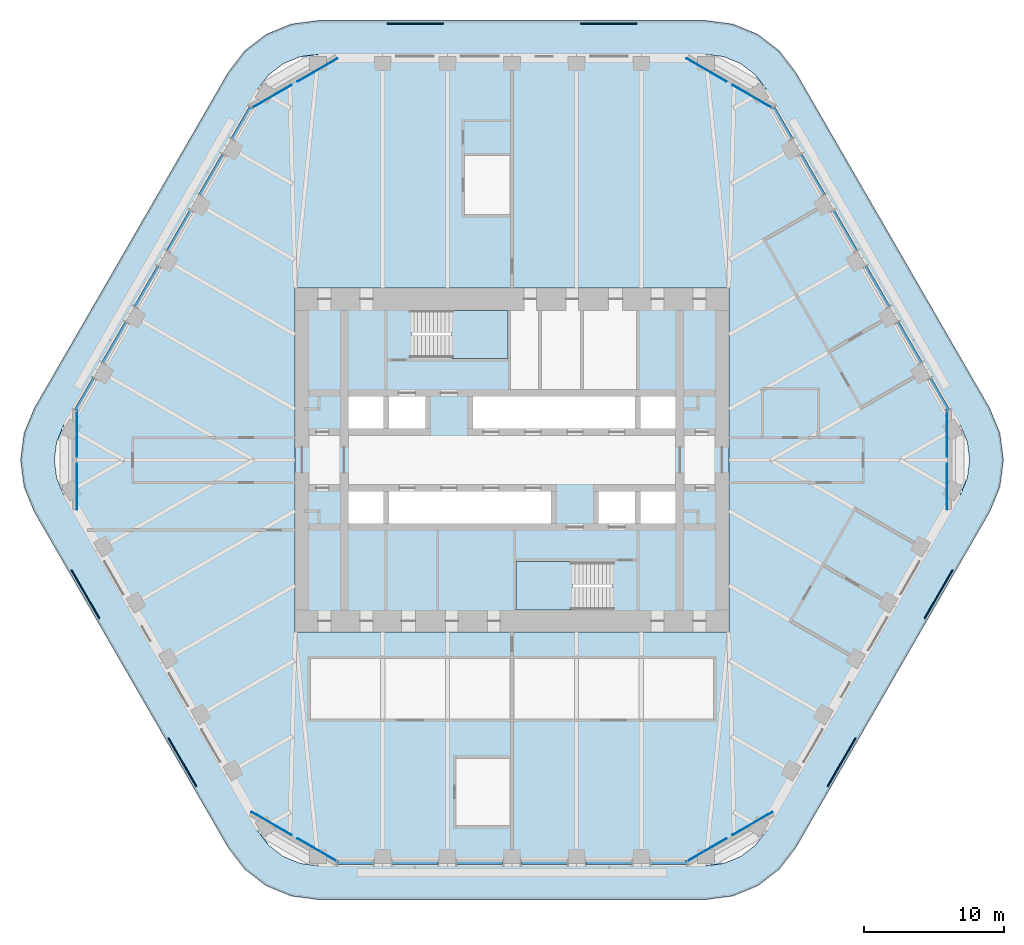
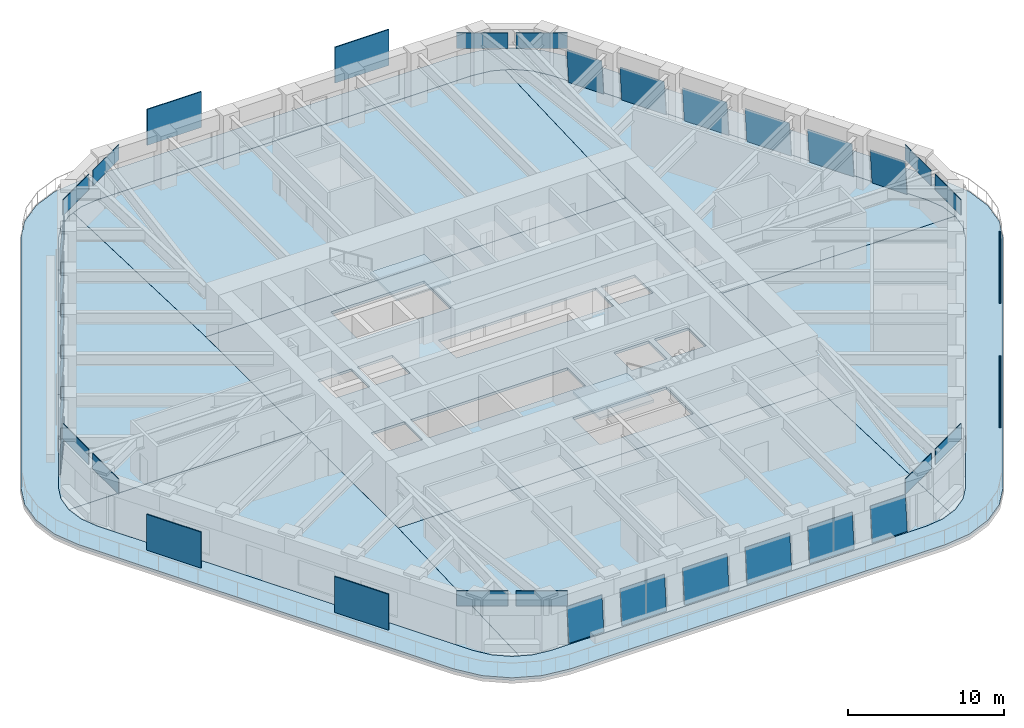
# One storey, part 13 of 20: 36 plates, 10 slabs, 20 elements without a shape of their own.
"""IFC4 building model written with IfcOpenShell, lengths in metres."""

from ifc_helpers import new_model, si_unit, direction, frame, origin, origin_2d, place, context, subcontext, project, spatial, polyline, rectangle, outline, extrude, material, layer, layer_set, type_object, element, aggregate, save


model = new_model("IFC4")

# Units and contexts
model_context = context("Model", 3, precision=1e-05, world=origin(), true_north=direction((0.0, 1.0)))
body_context = subcontext(model_context, "Body", "Model", "MODEL_VIEW")
ifc_project = project(units=[si_unit("LENGTHUNIT", "METRE"), si_unit("AREAUNIT", "SQUARE_METRE"), si_unit("VOLUMEUNIT", "CUBIC_METRE"), si_unit("PLANEANGLEUNIT", "RADIAN"), si_unit("MASSUNIT", "GRAM", prefix="KILO")], contexts=[model_context])

# Site, building, storey
site_placement = place(None, origin())
site = spatial("IfcSite", under=ifc_project, at=site_placement, CompositionType="ELEMENT")
building_placement = place(site_placement, origin())
building = spatial("IfcBuilding", under=site, at=building_placement, Name="Tarfa Lantern Tower", CompositionType="ELEMENT")
storey_placement = place(building_placement, frame((0.0, 0.0, 261.699951171875)))
storey = spatial("IfcBuildingStorey", under=building, at=storey_placement, Name="L59", CompositionType="ELEMENT", Elevation=261.699951171875)

# Slab
ifc_material_1 = material(Name="Concrete C40/50", Category="concrete")
ifc_layer_1 = layer(ifc_material_1, 0.199951171875)
ifc_layer_set_1 = layer_set([ifc_layer_1], Name="BS2 BALCONY SLAB 200")
slab_type_1 = type_object("IfcSlabType", Name="BS2 BALCONY SLAB 200", PredefinedType="FLOOR", material=ifc_layer_set_1)
slab_1_placement = place(storey_placement, frame((0.0, 0.0, -0.199951171875)))
element("IfcSlab", 1, at=slab_1_placement, inside=storey, type_object=slab_type_1, Name="Balcony L59", PredefinedType="FLOOR", context=body_context, shape_type="SweptSolid", body=[
    extrude(outline(polyline([(34.121337890625, 3.699951171875), (20.264892578125, 27.699951171875), (19.089111328125, 29.232666015625), (17.556396484375, 30.40869140625), (15.771728515625, 31.14794921875), (13.8564453125, 31.39990234375), (-13.8564453125, 31.39990234375), (-15.771728515625, 31.14794921875), (-17.556396484375, 30.40869140625), (-19.089111328125, 29.232666015625), (-20.264892578125, 27.699951171875), (-34.121337890625, 3.699951171875), (-34.860595703125, 1.915283203125), (-35.11279296875, 0.0), (-34.860595703125, -1.915283203125), (-34.121337890625, -3.699951171875), (-20.264892578125, -27.699951171875), (-19.089111328125, -29.232666015625), (-17.556396484375, -30.40869140625), (-15.771728515625, -31.14794921875), (-13.8564453125, -31.39990234375), (13.8564453125, -31.39990234375), (15.771728515625, -31.14794921875), (17.556396484375, -30.40869140625), (19.089111328125, -29.232666015625), (20.264892578125, -27.699951171875), (34.121337890625, -3.699951171875), (34.860595703125, -1.915283203125), (35.11279296875, 0.0), (34.860595703125, 1.915283203125), (34.121337890625, 3.699951171875)]), holes=[polyline([(32.04296875, 2.5), (18.1865234375, 26.5), (17.391845703125, 27.53564453125), (16.3564453125, 28.330078125), (15.150390625, 28.82958984375), (13.8564453125, 29.0), (-13.8564453125, 29.0), (-15.150390625, 28.82958984375), (-16.3564453125, 28.330078125), (-17.391845703125, 27.53564453125), (-18.1865234375, 26.5), (-32.04296875, 2.5), (-32.54248046875, 1.294189453125), (-32.712890625, 0.0), (-32.54248046875, -1.294189453125), (-32.04296875, -2.5), (-18.1865234375, -26.5), (-17.391845703125, -27.53564453125), (-16.3564453125, -28.330078125), (-15.150390625, -28.82958984375), (-13.8564453125, -29.0), (13.8564453125, -29.0), (15.150390625, -28.82958984375), (16.3564453125, -28.330078125), (17.391845703125, -27.53564453125), (18.1865234375, -26.5), (32.04296875, -2.5), (32.54248046875, -1.294189453125), (32.712890625, 0.0), (32.54248046875, 1.294189453125), (32.04296875, 2.5)])]), origin(), (0.0, 0.0, 1.0), 0.199951171875),
])

# Curtain wall, plate
ifc_material_2 = material(Name="Aluminium framed curtain wall", Category="aluminium")
curtain_wall_type = type_object("IfcCurtainWallType", Name="CW3 CANTED GLAZING HIGH ZONE 2800", PredefinedType="USERDEFINED", material=ifc_material_2)
curtain_wall_1_placement = place(storey_placement, origin())
curtain_wall_1 = element("IfcCurtainWall", 2, at=curtain_wall_1_placement, inside=storey, type_object=curtain_wall_type, Name="CW3 NE L59", ObjectType="CURTAIN WALL", PredefinedType="USERDEFINED")
ifc_material_3 = material(Name="Laminated double glazing", Category="glass")
ifc_layer_2 = layer(ifc_material_3, 0.028076171875)
ifc_layer_set_2 = layer_set([ifc_layer_2], Name="CWP1 DOUBLE GLAZED PANEL")
plate_type_1 = type_object("IfcPlateType", Name="CWP1 DOUBLE GLAZED PANEL", PredefinedType="CURTAIN_PANEL", material=ifc_layer_set_2)
plate_1_placement = place(storey_placement, frame((31.27392578125, 3.632080078125, 0.0), z_axis=(0.862605487661, 0.497996623416, 0.088944565453), x_axis=(-0.499978528097, 0.866037800231, 3.617793e-06)))
plate_1 = element("IfcPlate", 3, at=plate_1_placement, type_object=plate_type_1, Name="CW3 panel 1.1", PredefinedType="CURTAIN_PANEL", context=body_context, shape_type="SweptSolid", body=[
    extrude(outline(polyline([(0.0, 0.0), (2.5887966981179544, 1.3877787807814457e-17), (2.5887974391712834, 2.745981540411079), (0.00012280612366526554, 2.7460003459662934), (0.0, 0.0)])), origin(), (0.0, 0.0, -1.0), 0.028076171875),
])
aggregate(curtain_wall_1, [plate_1])

curtain_wall_2_placement = place(storey_placement, origin())
curtain_wall_2 = element("IfcCurtainWall", 4, at=curtain_wall_2_placement, inside=storey, type_object=curtain_wall_type, Name="CW3 NE L59", ObjectType="CURTAIN WALL", PredefinedType="USERDEFINED")
plate_2_placement = place(storey_placement, frame((29.314453125, 7.02587890625, 0.0), z_axis=(0.862575705038, 0.498055027356, 0.088906370994), x_axis=(-0.500035172766, 0.866005095826, 0.0)))
plate_2 = element("IfcPlate", 5, at=plate_2_placement, type_object=plate_type_1, Name="CW3 panel 1.1", PredefinedType="CURTAIN_PANEL", context=body_context, shape_type="SweptSolid", body=[
    extrude(outline(polyline([(0.0, 0.0), (3.2888311454247456, -2.7755575615628914e-17), (3.288837959805127, 2.7459815424216334), (6.8143803815395865e-06, 2.7459815424216334), (0.0, 0.0)])), origin(), (0.0, 0.0, -1.0), 0.028076171875),
])
aggregate(curtain_wall_2, [plate_2])

curtain_wall_3_placement = place(storey_placement, origin())
curtain_wall_3 = element("IfcCurtainWall", 6, at=curtain_wall_3_placement, inside=storey, type_object=curtain_wall_type, Name="CW3 NE L59", ObjectType="CURTAIN WALL", PredefinedType="USERDEFINED")
plate_3_placement = place(storey_placement, frame((27.005126953125, 11.02587890625, 0.0), z_axis=(0.862588760912, 0.498025595673, 0.088944564774), x_axis=(-0.500007556049, 0.866021041249, 2.847683e-06)))
plate_3 = element("IfcPlate", 7, at=plate_3_placement, type_object=plate_type_1, Name="CW3 panel 1.1", PredefinedType="CURTAIN_PANEL", context=body_context, shape_type="SweptSolid", body=[
    extrude(outline(polyline([(0.0, 0.0), (3.2888311437391393, -2.7755575615628914e-17), (3.288837961490737, 2.745981540402794), (0.00012888990883615277, 2.7460003456875546), (0.0, 0.0)])), origin(), (0.0, 0.0, -1.0), 0.028076171875),
])
aggregate(curtain_wall_3, [plate_3])

curtain_wall_4_placement = place(storey_placement, origin())
curtain_wall_4 = element("IfcCurtainWall", 8, at=curtain_wall_4_placement, inside=storey, type_object=curtain_wall_type, Name="CW3 NE L59", ObjectType="CURTAIN WALL", PredefinedType="USERDEFINED")
plate_4_placement = place(storey_placement, frame((24.695556640625, 15.02587890625, 0.0), z_axis=(0.862607722597, 0.497999572406, 0.08890637097), x_axis=(-0.499979497339, 0.866037240677, 0.0)))
plate_4 = element("IfcPlate", 9, at=plate_4_placement, type_object=plate_type_1, Name="CW3 panel 1.1", PredefinedType="CURTAIN_PANEL", context=body_context, shape_type="SweptSolid", body=[
    extrude(outline(polyline([(0.0, 0.0), (3.2887090733213356, 0.0), (3.2887001925491877, 2.745981542415729), (-8.880772147612515e-06, 2.745981542415729), (0.0, 0.0)])), origin(), (0.0, 0.0, -1.0), 0.028076171875),
])
aggregate(curtain_wall_4, [plate_4])

curtain_wall_5_placement = place(storey_placement, origin())
curtain_wall_5 = element("IfcCurtainWall", 10, at=curtain_wall_5_placement, inside=storey, type_object=curtain_wall_type, Name="CW3 NE L59", ObjectType="CURTAIN WALL", PredefinedType="USERDEFINED")
plate_5_placement = place(storey_placement, frame((22.38623046875, 19.02587890625, 0.0), z_axis=(0.862588760912, 0.498025595673, 0.088944564774), x_axis=(-0.500007115594, 0.866021295551, -2.847789e-06)))
plate_5 = element("IfcPlate", 11, at=plate_5_placement, type_object=plate_type_1, Name="CW3 panel 1.1", PredefinedType="CURTAIN_PANEL", context=body_context, shape_type="SweptSolid", body=[
    extrude(outline(polyline([(0.0, 0.0), (3.288709071635666, 0.0), (3.2888222595418823, 2.746000346379671), (-8.884143489794055e-06, 2.7459815403968855), (0.0, 0.0)])), origin(), (0.0, 0.0, -1.0), 0.028076171875),
])
aggregate(curtain_wall_5, [plate_5])

curtain_wall_6_placement = place(storey_placement, origin())
curtain_wall_6 = element("IfcCurtainWall", 12, at=curtain_wall_6_placement, inside=storey, type_object=curtain_wall_type, Name="CW3 NE L59", ObjectType="CURTAIN WALL", PredefinedType="USERDEFINED")
plate_6_placement = place(storey_placement, frame((20.076904296875, 23.02587890625, 0.0), z_axis=(0.862605487661, 0.497996623416, 0.088944565453), x_axis=(-0.499978528097, 0.866037800231, 3.617793e-06)))
plate_6 = element("IfcPlate", 13, at=plate_6_placement, type_object=plate_type_1, Name="CW3 panel 1.1", PredefinedType="CURTAIN_PANEL", context=body_context, shape_type="SweptSolid", body=[
    extrude(outline(polyline([(0.0, 0.0), (2.5887966981179544, 1.3877787807814457e-17), (2.5887974391712834, 2.745981540411079), (0.00012280612366526554, 2.7460003459662934), (0.0, 0.0)])), origin(), (0.0, 0.0, -1.0), 0.028076171875),
])
aggregate(curtain_wall_6, [plate_6])

curtain_wall_7_placement = place(storey_placement, origin())
curtain_wall_7 = element("IfcCurtainWall", 14, at=curtain_wall_7_placement, inside=storey, type_object=curtain_wall_type, Name="CW3 NW L59", ObjectType="CURTAIN WALL", PredefinedType="USERDEFINED")
plate_7_placement = place(storey_placement, frame((-18.782470703125, 25.267822265625, 0.0), z_axis=(-0.862605487661, 0.497996623416, 0.088944565453), x_axis=(-0.499978528097, -0.866037800231, -3.617793e-06)))
plate_7 = element("IfcPlate", 15, at=plate_7_placement, type_object=plate_type_1, Name="CW3 panel 1.1", PredefinedType="CURTAIN_PANEL", context=body_context, shape_type="SweptSolid", body=[
    extrude(outline(polyline([(0.0, 0.0), (2.5887966981179544, -1.3877787807814457e-17), (2.588673891994289, 2.7460003459662934), (-7.410533290658136e-07, 2.745981540411079), (0.0, 0.0)])), origin(), (0.0, 0.0, -1.0), 0.028076171875),
])
aggregate(curtain_wall_7, [plate_7])

curtain_wall_8_placement = place(storey_placement, origin())
curtain_wall_8 = element("IfcCurtainWall", 16, at=curtain_wall_8_placement, inside=storey, type_object=curtain_wall_type, Name="CW3 NW L59", ObjectType="CURTAIN WALL", PredefinedType="USERDEFINED")
plate_8_placement = place(storey_placement, frame((-20.741943359375, 21.8740234375, 0.0), z_axis=(-0.862588760912, 0.498025595673, 0.088944564774), x_axis=(-0.500007115594, -0.866021295551, 2.847789e-06)))
plate_8 = element("IfcPlate", 17, at=plate_8_placement, type_object=plate_type_1, Name="CW3 panel 1.1", PredefinedType="CURTAIN_PANEL", context=body_context, shape_type="SweptSolid", body=[
    extrude(outline(polyline([(0.0, 0.0), (3.288709071635666, 0.0), (3.2887179557791564, 2.7459815403968855), (-0.00011318790621565488, 2.746000346379671), (0.0, 0.0)])), origin(), (0.0, 0.0, -1.0), 0.028076171875),
])
aggregate(curtain_wall_8, [plate_8])

curtain_wall_9_placement = place(storey_placement, origin())
curtain_wall_9 = element("IfcCurtainWall", 18, at=curtain_wall_9_placement, inside=storey, type_object=curtain_wall_type, Name="CW3 NW L59", ObjectType="CURTAIN WALL", PredefinedType="USERDEFINED")
plate_9_placement = place(storey_placement, frame((-23.05126953125, 17.8740234375, 0.0), z_axis=(-0.862607722597, 0.497999572406, 0.08890637097), x_axis=(-0.499979497339, -0.866037240677, 0.0)))
plate_9 = element("IfcPlate", 19, at=plate_9_placement, type_object=plate_type_1, Name="CW3 panel 1.1", PredefinedType="CURTAIN_PANEL", context=body_context, shape_type="SweptSolid", body=[
    extrude(outline(polyline([(0.0, 0.0), (3.2887090733213356, 0.0), (3.288717954093483, 2.745981542415729), (8.880772147612515e-06, 2.745981542415729), (0.0, 0.0)])), origin(), (0.0, 0.0, -1.0), 0.028076171875),
])
aggregate(curtain_wall_9, [plate_9])

curtain_wall_10_placement = place(storey_placement, origin())
curtain_wall_10 = element("IfcCurtainWall", 20, at=curtain_wall_10_placement, inside=storey, type_object=curtain_wall_type, Name="CW3 NW L59", ObjectType="CURTAIN WALL", PredefinedType="USERDEFINED")
plate_10_placement = place(storey_placement, frame((-25.360595703125, 13.8740234375, 0.0), z_axis=(-0.862588760912, 0.498025595673, 0.088944564774), x_axis=(-0.500007556049, -0.866021041249, -2.847683e-06)))
plate_10 = element("IfcPlate", 21, at=plate_10_placement, type_object=plate_type_1, Name="CW3 panel 1.1", PredefinedType="CURTAIN_PANEL", context=body_context, shape_type="SweptSolid", body=[
    extrude(outline(polyline([(0.0, 0.0), (3.2888311437391393, 2.7755575615628914e-17), (3.2887022538303037, 2.7460003456875546), (-6.817751597527018e-06, 2.745981540402794), (0.0, 0.0)])), origin(), (0.0, 0.0, -1.0), 0.028076171875),
])
aggregate(curtain_wall_10, [plate_10])

curtain_wall_11_placement = place(storey_placement, origin())
curtain_wall_11 = element("IfcCurtainWall", 22, at=curtain_wall_11_placement, inside=storey, type_object=curtain_wall_type, Name="CW3 NW L59", ObjectType="CURTAIN WALL", PredefinedType="USERDEFINED")
plate_11_placement = place(storey_placement, frame((-27.669921875, 9.8740234375, 0.0), z_axis=(-0.862575705038, 0.498055027356, 0.088906370994), x_axis=(-0.500035172766, -0.866005095826, 0.0)))
plate_11 = element("IfcPlate", 23, at=plate_11_placement, type_object=plate_type_1, Name="CW3 panel 1.1", PredefinedType="CURTAIN_PANEL", context=body_context, shape_type="SweptSolid", body=[
    extrude(outline(polyline([(0.0, 0.0), (3.2888311454247456, 2.7755575615628914e-17), (3.2888243310443643, 2.7459815424216334), (-6.8143803815395865e-06, 2.7459815424216334), (0.0, 0.0)])), origin(), (0.0, 0.0, -1.0), 0.028076171875),
])
aggregate(curtain_wall_11, [plate_11])

curtain_wall_12_placement = place(storey_placement, origin())
curtain_wall_12 = element("IfcCurtainWall", 24, at=curtain_wall_12_placement, inside=storey, type_object=curtain_wall_type, Name="CW3 NW L59", ObjectType="CURTAIN WALL", PredefinedType="USERDEFINED")
plate_12_placement = place(storey_placement, frame((-29.9794921875, 5.8740234375, 0.0), z_axis=(-0.862605487661, 0.497996623416, 0.088944565453), x_axis=(-0.499978528097, -0.866037800231, -3.617793e-06)))
plate_12 = element("IfcPlate", 25, at=plate_12_placement, type_object=plate_type_1, Name="CW3 panel 1.1", PredefinedType="CURTAIN_PANEL", context=body_context, shape_type="SweptSolid", body=[
    extrude(outline(polyline([(0.0, 0.0), (2.5887966981179544, -1.3877787807814457e-17), (2.588673891994289, 2.7460003459662934), (-7.410533290658136e-07, 2.745981540411079), (0.0, 0.0)])), origin(), (0.0, 0.0, -1.0), 0.028076171875),
])
aggregate(curtain_wall_12, [plate_12])

curtain_wall_13_placement = place(storey_placement, origin())
curtain_wall_13 = element("IfcCurtainWall", 26, at=curtain_wall_13_placement, inside=storey, type_object=curtain_wall_type, Name="CW3 S L59", ObjectType="CURTAIN WALL", PredefinedType="USERDEFINED")
plate_13_placement = place(storey_placement, frame((-12.491455078125, -28.89990234375, 0.0), z_axis=(0.0, -0.996039814532, 0.088908311571), x_axis=(1.0, 0.0, 0.0)))
plate_13 = element("IfcPlate", 27, at=plate_13_placement, type_object=plate_type_1, Name="CW3 panel 1.1", PredefinedType="CURTAIN_PANEL", context=body_context, shape_type="SweptSolid", body=[
    extrude(outline(polyline([(0.0, 0.0), (2.5888671875, 0.0), (2.5888671875, 2.745982019965007), (0.0, 2.745982019965007), (0.0, 0.0)])), origin(), (0.0, 0.0, -1.0), 0.028076171875),
])
aggregate(curtain_wall_13, [plate_13])

curtain_wall_14_placement = place(storey_placement, origin())
curtain_wall_14 = element("IfcCurtainWall", 28, at=curtain_wall_14_placement, inside=storey, type_object=curtain_wall_type, Name="CW3 S L59", ObjectType="CURTAIN WALL", PredefinedType="USERDEFINED")
plate_14_placement = place(storey_placement, frame((-8.572509765625, -28.89990234375, 0.0), z_axis=(0.0, -0.996039814532, 0.088908311571), x_axis=(1.0, 0.0, 0.0)))
plate_14 = element("IfcPlate", 29, at=plate_14_placement, type_object=plate_type_1, Name="CW3 panel 1.1", PredefinedType="CURTAIN_PANEL", context=body_context, shape_type="SweptSolid", body=[
    extrude(outline(polyline([(0.0, 0.0), (3.288818359375, 0.0), (3.288818359375, 2.745982019965007), (0.0, 2.745982019965007), (0.0, 0.0)])), origin(), (0.0, 0.0, -1.0), 0.028076171875),
])
aggregate(curtain_wall_14, [plate_14])

curtain_wall_15_placement = place(storey_placement, origin())
curtain_wall_15 = element("IfcCurtainWall", 30, at=curtain_wall_15_placement, inside=storey, type_object=curtain_wall_type, Name="CW3 S L59", ObjectType="CURTAIN WALL", PredefinedType="USERDEFINED")
plate_15_placement = place(storey_placement, frame((-3.953857421875, -28.89990234375, 0.0), z_axis=(0.0, -0.996039814532, 0.088908311571), x_axis=(1.0, 0.0, 0.0)))
plate_15 = element("IfcPlate", 31, at=plate_15_placement, type_object=plate_type_1, Name="CW3 panel 1.1", PredefinedType="CURTAIN_PANEL", context=body_context, shape_type="SweptSolid", body=[
    extrude(outline(polyline([(0.0, 0.0), (3.288818359375, 0.0), (3.288818359375, 2.745982019965007), (0.0, 2.745982019965007), (0.0, 0.0)])), origin(), (0.0, 0.0, -1.0), 0.028076171875),
])
aggregate(curtain_wall_15, [plate_15])

curtain_wall_16_placement = place(storey_placement, origin())
curtain_wall_16 = element("IfcCurtainWall", 32, at=curtain_wall_16_placement, inside=storey, type_object=curtain_wall_type, Name="CW3 S L59", ObjectType="CURTAIN WALL", PredefinedType="USERDEFINED")
plate_16_placement = place(storey_placement, frame((0.6650390625, -28.89990234375, 0.0), z_axis=(0.0, -0.996039814532, 0.088908311571), x_axis=(1.0, 0.0, 0.0)))
plate_16 = element("IfcPlate", 33, at=plate_16_placement, type_object=plate_type_1, Name="CW3 panel 1.1", PredefinedType="CURTAIN_PANEL", context=body_context, shape_type="SweptSolid", body=[
    extrude(outline(polyline([(0.0, 0.0), (3.288818359375, 0.0), (3.288818359375, 2.745982019965007), (0.0, 2.745982019965007), (0.0, 0.0)])), origin(), (0.0, 0.0, -1.0), 0.028076171875),
])
aggregate(curtain_wall_16, [plate_16])

curtain_wall_17_placement = place(storey_placement, origin())
curtain_wall_17 = element("IfcCurtainWall", 34, at=curtain_wall_17_placement, inside=storey, type_object=curtain_wall_type, Name="CW3 S L59", ObjectType="CURTAIN WALL", PredefinedType="USERDEFINED")
plate_17_placement = place(storey_placement, frame((5.28369140625, -28.89990234375, 0.0), z_axis=(0.0, -0.996039814532, 0.088908311571), x_axis=(1.0, 0.0, 0.0)))
plate_17 = element("IfcPlate", 35, at=plate_17_placement, type_object=plate_type_1, Name="CW3 panel 1.1", PredefinedType="CURTAIN_PANEL", context=body_context, shape_type="SweptSolid", body=[
    extrude(outline(polyline([(0.0, 0.0), (3.288818359375, 0.0), (3.288818359375, 2.745982019965007), (0.0, 2.745982019965007), (0.0, 0.0)])), origin(), (0.0, 0.0, -1.0), 0.028076171875),
])
aggregate(curtain_wall_17, [plate_17])

curtain_wall_18_placement = place(storey_placement, origin())
curtain_wall_18 = element("IfcCurtainWall", 36, at=curtain_wall_18_placement, inside=storey, type_object=curtain_wall_type, Name="CW3 S L59", ObjectType="CURTAIN WALL", PredefinedType="USERDEFINED")
plate_18_placement = place(storey_placement, frame((9.902587890625, -28.89990234375, 0.0), z_axis=(0.0, -0.996039814532, 0.088908311571), x_axis=(1.0, 0.0, 0.0)))
plate_18 = element("IfcPlate", 37, at=plate_18_placement, type_object=plate_type_1, Name="CW3 panel 1.1", PredefinedType="CURTAIN_PANEL", context=body_context, shape_type="SweptSolid", body=[
    extrude(outline(polyline([(0.0, 0.0), (2.5888671875, 0.0), (2.5888671875, 2.745982019965007), (0.0, 2.745982019965007), (0.0, 0.0)])), origin(), (0.0, 0.0, -1.0), 0.028076171875),
])
aggregate(curtain_wall_18, [plate_18])

# Slabs
ifc_layer_3 = layer(ifc_material_1, 0.199951171875)
ifc_layer_set_3 = layer_set([ifc_layer_3], Name="FS1 FLOOR SLAB 200")
slab_type_2 = type_object("IfcSlabType", Name="FS1 FLOOR SLAB 200", PredefinedType="FLOOR", material=ifc_layer_set_3)
slab_2_placement = place(storey_placement, frame((0.0, 0.0, -0.199951171875)))
element("IfcSlab", 38, at=slab_2_placement, inside=storey, type_object=slab_type_2, Name="Floor slab L59", PredefinedType="FLOOR", context=body_context, shape_type="SweptSolid", body=[
    extrude(outline(polyline([(-15.5, -12.300048828125), (15.5, -12.300048828125), (15.5, 12.300048828125), (-15.5, 12.300048828125), (-15.5, -12.300048828125)]), holes=[polyline([(-11.699951171875, 2.25), (-9.199951171875, 2.25), (-9.199951171875, 4.550048828125), (-11.699951171875, 4.550048828125), (-11.699951171875, 2.25)]), polyline([(-8.800048828125, 2.25), (-6.199951171875, 2.25), (-6.199951171875, 4.550048828125), (-8.800048828125, 4.550048828125), (-8.800048828125, 2.25)]), polyline([(-2.800048828125, 2.25), (8.800048828125, 2.25), (8.800048828125, 4.550048828125), (-2.800048828125, 4.550048828125), (-2.800048828125, 2.25)]), polyline([(9.199951171875, 2.25), (11.699951171875, 2.25), (11.699951171875, 4.550048828125), (9.199951171875, 4.550048828125), (9.199951171875, 2.25)]), polyline([(11.699951171875, -2.25), (9.199951171875, -2.25), (9.199951171875, -4.550048828125), (11.699951171875, -4.550048828125), (11.699951171875, -2.25)]), polyline([(8.800048828125, -2.25), (6.199951171875, -2.25), (6.199951171875, -4.550048828125), (8.800048828125, -4.550048828125), (8.800048828125, -2.25)]), polyline([(2.800048828125, -2.25), (-8.800048828125, -2.25), (-8.800048828125, -4.550048828125), (2.800048828125, -4.550048828125), (2.800048828125, -2.25)]), polyline([(-9.199951171875, -2.25), (-11.699951171875, -2.25), (-11.699951171875, -4.550048828125), (-9.199951171875, -4.550048828125), (-9.199951171875, -2.25)]), polyline([(-7.199951171875, 7.25), (-0.300048828125, 7.25), (-0.300048828125, 10.699951171875), (-7.199951171875, 10.699951171875), (-7.199951171875, 7.25)]), polyline([(7.199951171875, -7.25), (0.300048828125, -7.25), (0.300048828125, -10.699951171875), (7.199951171875, -10.699951171875), (7.199951171875, -7.25)])]), origin(), (0.0, 0.0, 1.0), 0.199951171875),
])
slab_3_placement = place(storey_placement, frame((0.0, 0.0, -0.199951171875)))
element("IfcSlab", 39, at=slab_3_placement, inside=storey, type_object=slab_type_2, Name="Floor slab L59 NE bay", PredefinedType="FLOOR", context=body_context, shape_type="SweptSolid", body=[
    extrude(outline(polyline([(32.041259765625, 2.4990234375), (18.184814453125, 26.498779296875), (17.390625, 27.5341796875), (16.35546875, 28.328369140625), (15.927490234375, 28.505615234375), (15.501953125, 12.300048828125), (15.501953125, 0.001953125), (32.71044921875, 0.001953125), (32.54052734375, 1.29345703125), (32.041259765625, 2.4990234375)])), origin(), (0.0, 0.0, 1.0), 0.199951171875),
])
slab_4_placement = place(storey_placement, frame((0.0, 0.0, -0.199951171875)))
element("IfcSlab", 40, at=slab_4_placement, inside=storey, type_object=slab_type_2, Name="Floor slab L59 N bay", PredefinedType="FLOOR", context=body_context, shape_type="SweptSolid", body=[
    extrude(outline(polyline([(-15.498046875, 12.302001953125), (15.498046875, 12.302001953125), (15.923583984375, 28.50732421875), (15.14990234375, 28.82763671875), (13.856201171875, 28.998046875), (-13.856201171875, 28.998046875), (-15.14990234375, 28.82763671875), (-15.923583984375, 28.50732421875), (-15.498046875, 12.302001953125)])), origin(), (0.0, 0.0, 1.0), 0.199951171875),
])
slab_5_placement = place(storey_placement, frame((0.0, 0.0, -0.199951171875)))
element("IfcSlab", 41, at=slab_5_placement, inside=storey, type_object=slab_type_2, Name="Floor slab L59 NW bay", PredefinedType="FLOOR", context=body_context, shape_type="SweptSolid", body=[
    extrude(outline(polyline([(-15.501953125, 0.001953125), (-15.501953125, 12.300048828125), (-15.927490234375, 28.505615234375), (-16.35546875, 28.328369140625), (-17.390625, 27.5341796875), (-18.184814453125, 26.498779296875), (-32.041259765625, 2.4990234375), (-32.54052734375, 1.29345703125), (-32.71044921875, 0.001953125), (-15.501953125, 0.001953125)])), origin(), (0.0, 0.0, 1.0), 0.199951171875),
])
slab_6_placement = place(storey_placement, frame((0.0, 0.0, -0.199951171875)))
element("IfcSlab", 42, at=slab_6_placement, inside=storey, type_object=slab_type_2, Name="Floor slab L59 SW bay", PredefinedType="FLOOR", context=body_context, shape_type="SweptSolid", body=[
    extrude(outline(polyline([(-15.501953125, -12.300048828125), (-15.501953125, -0.001953125), (-32.71044921875, -0.001953125), (-32.54052734375, -1.29345703125), (-32.041259765625, -2.4990234375), (-18.184814453125, -26.498779296875), (-17.390625, -27.5341796875), (-16.35546875, -28.328369140625), (-15.927490234375, -28.505615234375), (-15.501953125, -12.300048828125)])), origin(), (0.0, 0.0, 1.0), 0.199951171875),
])
slab_7_placement = place(storey_placement, frame((0.0, 0.0, -0.199951171875)))
element("IfcSlab", 43, at=slab_7_placement, inside=storey, type_object=slab_type_2, Name="Floor slab L59 S bay", PredefinedType="FLOOR", context=body_context, shape_type="SweptSolid", body=[
    extrude(outline(polyline([(15.498046875, -12.302001953125), (-15.498046875, -12.302001953125), (-15.923583984375, -28.50732421875), (-15.14990234375, -28.82763671875), (-13.856201171875, -28.998046875), (13.856201171875, -28.998046875), (15.14990234375, -28.82763671875), (15.923583984375, -28.50732421875), (15.498046875, -12.302001953125)])), origin(), (0.0, 0.0, 1.0), 0.199951171875),
])
slab_8_placement = place(storey_placement, frame((0.0, 0.0, -0.199951171875)))
element("IfcSlab", 44, at=slab_8_placement, inside=storey, type_object=slab_type_2, Name="Floor slab L59 SE bay", PredefinedType="FLOOR", context=body_context, shape_type="SweptSolid", body=[
    extrude(outline(polyline([(15.501953125, -0.001953125), (15.501953125, -12.300048828125), (15.927490234375, -28.505615234375), (16.35546875, -28.328369140625), (17.390625, -27.5341796875), (18.184814453125, -26.498779296875), (32.041259765625, -2.4990234375), (32.54052734375, -1.29345703125), (32.71044921875, -0.001953125), (15.501953125, -0.001953125)])), origin(), (0.0, 0.0, 1.0), 0.199951171875),
])

# Plates
ifc_material_4 = material(Name="Aluminium fascia panel", Category="aluminium")
ifc_layer_4 = layer(ifc_material_4, 0.050048828125)
ifc_layer_set_4 = layer_set([ifc_layer_4], Name="LF1 LOGGIA HEAD FASCIA 50")
plate_type_2 = type_object("IfcPlateType", Name="LF1 LOGGIA HEAD FASCIA 50", PredefinedType="USERDEFINED", material=ifc_layer_set_4)
for number, where, z_axis, x_axis, name in (
    (45, (17.18994140625, 25.972900390625, 2.80029296875), (0.0, 0.0, 1.0), (-0.866025403784, 0.5, 0.0), "Garden head fascia NE-N"),
    (46, (13.898193359375, 27.873291015625, 2.80029296875), (0.0, 0.0, 1.0), (-0.866025403784, 0.5, 0.0), "Garden head fascia NE-N"),
    (47, (-13.898193359375, 27.873291015625, 2.80029296875), (0.0, 0.0, 1.0), (-0.866025403784, -0.5, 0.0), "Garden head fascia N-NW"),
    (48, (-17.18994140625, 25.972900390625, 2.80029296875), (0.0, 0.0, 1.0), (-0.866025403784, -0.5, 0.0), "Garden head fascia N-NW"),
    (49, (-31.088134765625, 1.900390625, 2.80029296875), (0.0, 0.0, 1.0), (0.0, -1.0, 0.0), "Garden head fascia NW-SW"),
    (50, (-31.088134765625, -1.900390625, 2.80029296875), (0.0, 0.0, 1.0), (0.0, -1.0, 0.0), "Garden head fascia NW-SW"),
    (51, (-17.18994140625, -25.972900390625, 2.80029296875), (0.0, 0.0, 1.0), (0.866025403784, -0.5, 0.0), "Garden head fascia SW-S"),
    (52, (-13.898193359375, -27.873291015625, 2.80029296875), (0.0, 0.0, 1.0), (0.866025403784, -0.5, 0.0), "Garden head fascia SW-S"),
    (53, (13.898193359375, -27.873291015625, 2.80029296875), (0.0, 0.0, 1.0), (0.866025403784, 0.5, 0.0), "Garden head fascia S-SE"),
    (54, (17.18994140625, -25.972900390625, 2.80029296875), (0.0, 0.0, 1.0), (0.866025403784, 0.5, 0.0), "Garden head fascia S-SE"),
    (55, (31.088134765625, -1.900390625, 2.80029296875), (0.0, 0.0, 1.0), (0.0, 1.0, 0.0), "Garden head fascia SE-NE"),
    (56, (31.088134765625, 1.900390625, 2.80029296875), (0.0, 0.0, 1.0), (0.0, 1.0, 0.0), "Garden head fascia SE-NE"),
):
    element("IfcPlate", number, at=place(storey_placement, frame(where, z_axis=z_axis, x_axis=x_axis)), inside=storey, type_object=plate_type_2, Name=name, ObjectType="FASCIA", PredefinedType="USERDEFINED", context=body_context, shape_type="SweptSolid", body=[
        extrude(rectangle(XDim=3.30078125, YDim=0.050048828125, at=origin_2d()), origin(), (0.0, 0.0, 1.0), 1.199951171875),
    ])
ifc_material_5 = material(Name="Perforated limestone screen", Category="masonry")
ifc_layer_5 = layer(ifc_material_5, 0.080078125)
ifc_layer_set_5 = layer_set([ifc_layer_5], Name="SC1 STONE SCREEN 80")
plate_type_3 = type_object("IfcPlateType", Name="SC1 STONE SCREEN 80", PredefinedType="USERDEFINED", material=ifc_layer_set_5)
for number, where, z_axis, x_axis, name in (
    (57, (6.92822265625, 31.199951171875, 1.2001953125), (0.0, 0.0, 1.0), (-1.0, 0.0, 0.0), "Stone screen N 1"),
    (58, (-6.92822265625, 31.199951171875, 1.2001953125), (0.0, 0.0, 1.0), (-1.0, 0.0, 0.0), "Stone screen N 2"),
    (59, (-30.484130859375, -9.60009765625, 1.2001953125), (0.0, 0.0, 1.0), (0.5, -0.866025403784, 0.0), "Stone screen SW 1"),
    (60, (-23.555908203125, -21.60009765625, 1.2001953125), (0.0, 0.0, 1.0), (0.5, -0.866025403784, 0.0), "Stone screen SW 2"),
    (61, (23.555908203125, -21.60009765625, 1.2001953125), (0.0, 0.0, 1.0), (0.5, 0.866025403784, 0.0), "Stone screen SE 1"),
    (62, (30.484130859375, -9.60009765625, 1.2001953125), (0.0, 0.0, 1.0), (0.5, 0.866025403784, 0.0), "Stone screen SE 2"),
):
    element("IfcPlate", number, at=place(storey_placement, frame(where, z_axis=z_axis, x_axis=x_axis)), inside=storey, type_object=plate_type_3, Name=name, ObjectType="SCREEN", PredefinedType="USERDEFINED", context=body_context, shape_type="SweptSolid", body=[
        extrude(rectangle(XDim=4.0, YDim=0.080078125, at=origin_2d()), origin(), (0.0, 0.0, 1.0), 2.800048828125),
    ])

# Stair, slab
stair_type = type_object("IfcStairType", Name="ST-T10 HALF-TURN STAIR 4200 RISE", PredefinedType="HALF_TURN_STAIR", material=ifc_material_1)
stair_1_placement = place(storey_placement, origin())
stair_1 = element("IfcStair", 63, at=stair_1_placement, inside=storey, type_object=stair_type, Name="Stair ST1", PredefinedType="HALF_TURN_STAIR")
ifc_layer_6 = layer(ifc_material_1, 0.199951171875)
ifc_layer_set_6 = layer_set([ifc_layer_6], Name="SL1 STAIR LANDING 200")
slab_type_3 = type_object("IfcSlabType", Name="SL1 STAIR LANDING 200", PredefinedType="LANDING", material=ifc_layer_set_6)
slab_9_placement = place(storey_placement, frame((0.0, 0.0, 1.900146484375)))
slab_9 = element("IfcSlab", 64, at=slab_9_placement, type_object=slab_type_3, Name="ST1 landing 1", PredefinedType="LANDING", context=body_context, shape_type="SweptSolid", body=[
    extrude(outline(polyline([(-4.320068359375, 7.25), (-0.300048828125, 7.25), (-0.300048828125, 10.699951171875), (-4.320068359375, 10.699951171875), (-4.320068359375, 7.25)])), origin(), (0.0, 0.0, 1.0), 0.199951171875),
])
aggregate(stair_1, [slab_9])

stair_2_placement = place(storey_placement, origin())
stair_2 = element("IfcStair", 65, at=stair_2_placement, inside=storey, type_object=stair_type, Name="Stair ST2", PredefinedType="HALF_TURN_STAIR")
slab_10_placement = place(storey_placement, frame((0.0, 0.0, 1.900146484375)))
slab_10 = element("IfcSlab", 66, at=slab_10_placement, type_object=slab_type_3, Name="ST2 landing 1", PredefinedType="LANDING", context=body_context, shape_type="SweptSolid", body=[
    extrude(outline(polyline([(4.320068359375, -7.25), (0.300048828125, -7.25), (0.300048828125, -10.699951171875), (4.320068359375, -10.699951171875), (4.320068359375, -7.25)])), origin(), (0.0, 0.0, 1.0), 0.199951171875),
])
aggregate(stair_2, [slab_10])

save(model, "model.ifc")
